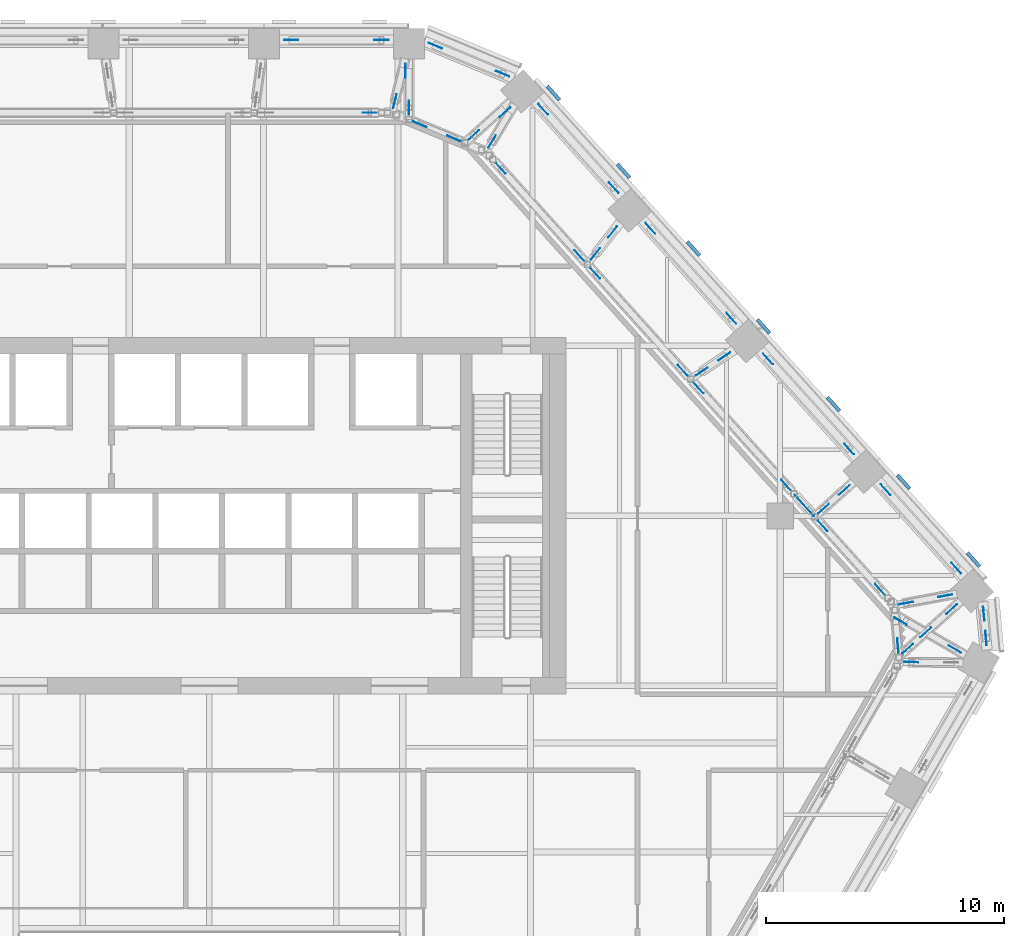
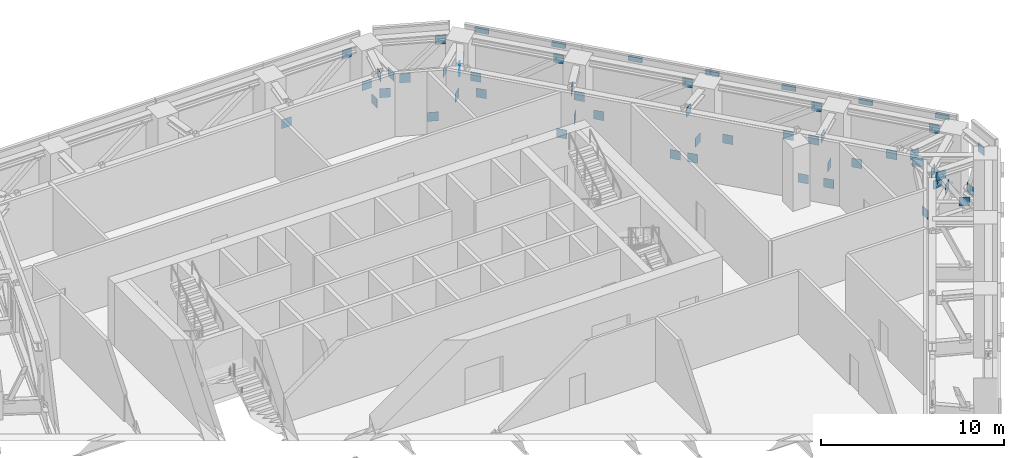
# One storey, part 24 of 26: 55 discrete accessories.
"""IFC4 building model written with IfcOpenShell, lengths in metres."""

import ifcopenshell
import ifcopenshell.guid

model = None  # the IFC model being written
_history = None  # IfcOwnerHistory: only IFC2X3 demands one
_inside = {}  # id of a spatial element -> (the spatial element, [elements in it])
_under = {}  # id of a project, library or spatial element -> (it, [spatial elements below it])
_declared = {}  # id of a project -> (the project, [libraries it declares])
_typed = {}  # id of a type object -> (the type object, [elements of that type])
_made_of = {}  # id of a material, layer set ... -> (it, [elements and type objects made of it])


def new_model(schema):
    """Start an empty IFC model of exactly this schema.

    Asked for "IFC4X3", IfcOpenShell would pick the latest addendum, in which some entities
    have other attributes; the version numbers below select the first issue.
    IFC2X3 requires an IfcOwnerHistory on every rooted entity: one is made here for all.
    """
    global model, _history
    if schema == "IFC4X3":
        model = ifcopenshell.file(schema_version=(4, 3, 0, 0))
    else:
        model = ifcopenshell.file(schema=schema)
    _inside.clear()
    _under.clear()
    _declared.clear()
    _typed.clear()
    _made_of.clear()
    _history = None
    if model.schema == "IFC2X3":
        org = make("IfcOrganization", Name="unknown")
        user = make(
            "IfcPersonAndOrganization",
            ThePerson=make("IfcPerson", FamilyName="unknown"),
            TheOrganization=org,
        )
        app = make(
            "IfcApplication",
            ApplicationDeveloper=org,
            Version="unknown",
            ApplicationFullName="unknown",
            ApplicationIdentifier="unknown",
        )
        _history = make(
            "IfcOwnerHistory",
            OwningUser=user,
            OwningApplication=app,
            ChangeAction="ADDED",
            CreationDate=0,
        )
    return model


def make(cls, **values):
    """One entity of the class cls with the attributes given. An attribute that is None is left unset."""
    return model.create_entity(
        cls, **{name: value for name, value in values.items() if value is not None}
    )


def rooted(cls, **values):
    """An entity with a GlobalId (a new one), such as an element, a storey or a relation."""
    return make(cls, GlobalId=ifcopenshell.guid.new(), OwnerHistory=_history, **values)


def si_unit(unit_type, name, prefix=None):
    """IfcSIUnit, for example si_unit("LENGTHUNIT", "METRE", prefix="MILLI")."""
    return make("IfcSIUnit", UnitType=unit_type, Prefix=prefix, Name=name)


def assignment(units):
    """IfcUnitAssignment: the units of a project."""
    return None if units is None else make("IfcUnitAssignment", Units=units)


def point(xyz):
    """IfcCartesianPoint."""
    return None if xyz is None else make("IfcCartesianPoint", Coordinates=xyz)


def direction(xyz):
    """IfcDirection."""
    return None if xyz is None else make("IfcDirection", DirectionRatios=xyz)


def frame(location, z_axis=None, x_axis=None):
    """IfcAxis2Placement3D, a coordinate frame: its origin and axes. An axis left out is left unset."""
    return make(
        "IfcAxis2Placement3D",
        Location=point(location),
        Axis=direction(z_axis),
        RefDirection=direction(x_axis),
    )


def frame_2d(location, x_axis=None):
    """IfcAxis2Placement2D, a coordinate frame in the plane: its origin and x axis."""
    return make(
        "IfcAxis2Placement2D", Location=point(location), RefDirection=direction(x_axis)
    )


def origin():
    """The frame at (0, 0, 0) with its axes left unset."""
    return frame((0.0, 0.0, 0.0))


def origin_2d():
    """The frame at (0, 0) in the plane with its x axis left unset."""
    return frame_2d((0.0, 0.0))


def place(relative_to, where):
    """IfcLocalPlacement: puts the frame where relative to a parent placement (None: the world)."""
    return make(
        "IfcLocalPlacement", PlacementRelTo=relative_to, RelativePlacement=where
    )


def context(
    kind, dimensions, precision=None, world=None, true_north=None, identifier=None
):
    """IfcGeometricRepresentationContext, for example the 3D "Model" context."""
    return make(
        "IfcGeometricRepresentationContext",
        ContextIdentifier=identifier,
        ContextType=kind,
        CoordinateSpaceDimension=dimensions,
        Precision=precision,
        WorldCoordinateSystem=world,
        TrueNorth=true_north,
    )


def subcontext(parent, identifier, kind, view, scale=None):
    """IfcGeometricRepresentationSubContext, for example "Body" below "Model"."""
    return make(
        "IfcGeometricRepresentationSubContext",
        ContextIdentifier=identifier,
        ContextType=kind,
        ParentContext=parent,
        TargetScale=scale,
        TargetView=view,
    )


def project(units=None, contexts=None):
    """IfcProject with its units and contexts."""
    return rooted(
        "IfcProject",
        Name="project",
        RepresentationContexts=contexts,
        UnitsInContext=assignment(units),
    )


def spatial(cls, under=None, at=None, **own):
    """A site, building, storey or space (cls), placed at a placement, below another one or the project."""
    s = rooted(cls, ObjectPlacement=at, **own)
    if under is not None:
        _under.setdefault(under.id(), (under, []))[1].append(s)
    return s


def profile(cls, at=None, kind="AREA", **sizes):
    """A parametric profile (cls). Its sizes go by their IFC names, for example OverallWidth=200.0."""
    return make(cls, ProfileType=kind, Position=at, **sizes)


def rectangle(**sizes):
    """IfcRectangleProfileDef."""
    return profile("IfcRectangleProfileDef", **sizes)


def extrude(swept, where, along, depth):
    """IfcExtrudedAreaSolid: the profile swept, set in the frame where, extruded along a direction by depth."""
    return make(
        "IfcExtrudedAreaSolid",
        SweptArea=swept,
        Position=where,
        ExtrudedDirection=direction(along),
        Depth=depth,
    )


def shape(context_of_items, identifier, shape_type, items):
    """IfcShapeRepresentation: the items that make up one representation, for example the "Body"."""
    return make(
        "IfcShapeRepresentation",
        ContextOfItems=context_of_items,
        RepresentationIdentifier=identifier,
        RepresentationType=shape_type,
        Items=items,
    )


def material(Name=None, Category=None):
    """IfcMaterial."""
    return make("IfcMaterial", Name=Name, Category=Category)


def made_of(thing, what):
    """Note that an element or type object is made of a material, layer set ...; save() writes the relation."""
    if what is not None:
        _made_of.setdefault(what.id(), (what, []))[1].append(thing)
    return thing


def type_object(cls, material=None, **own):
    """A type object (cls), such as IfcWallType, which elements share."""
    return made_of(rooted(cls, **own), material)


def element(
    cls,
    number,
    at=None,
    inside=None,
    cuts=None,
    type_object=None,
    material=None,
    context=None,
    identifier="Body",
    shape_type=None,
    held_by="IfcProductDefinitionShape",
    body=None,
    shapes=None,
    **own,
):
    """One element of the class cls, such as IfcWall. Its Tag is "e" and its number.

    at: its placement. inside: the storey or other place that contains it. cuts: it is an
    opening in that element (IfcRelVoidsElement). A single representation is given by context,
    identifier, shape_type and body (its items); several are given by shapes. held_by: the class
    of the entity that holds the representations. save() writes the other relations.
    """
    e = rooted(cls, Tag="e%d" % number, ObjectPlacement=at, **own)
    if body is not None:
        shapes = [shape(context, identifier, shape_type, body)]
    if shapes is not None:
        e.Representation = make(held_by, Representations=shapes)
    if inside is not None:
        _inside.setdefault(inside.id(), (inside, []))[1].append(e)
    if cuts is not None:
        rooted(
            "IfcRelVoidsElement", RelatingBuildingElement=cuts, RelatedOpeningElement=e
        )
    if type_object is not None:
        _typed.setdefault(type_object.id(), (type_object, []))[1].append(e)
    return made_of(e, material)


def aggregate(whole, parts):
    """IfcRelAggregates: a whole, such as a stair, and the parts it consists of."""
    return rooted("IfcRelAggregates", RelatingObject=whole, RelatedObjects=parts)


def save(model, path):
    """Write the relations noted so far, then the file.

    IfcRelAggregates (storeys below a building ...), IfcRelContainedInSpatialStructure (elements
    in a storey), IfcRelDefinesByType, IfcRelAssociatesMaterial and IfcRelDeclares: one each for
    every whole, place, type object, material and project.
    """
    for whole, parts in _under.values():
        aggregate(whole, parts)
    for where, things in _inside.values():
        rooted(
            "IfcRelContainedInSpatialStructure",
            RelatedElements=things,
            RelatingStructure=where,
        )
    for kind, things in _typed.values():
        rooted("IfcRelDefinesByType", RelatedObjects=things, RelatingType=kind)
    for what, things in _made_of.values():
        rooted("IfcRelAssociatesMaterial", RelatedObjects=things, RelatingMaterial=what)
    for by, libraries in _declared.values():
        rooted("IfcRelDeclares", RelatingContext=by, RelatedDefinitions=libraries)
    model.write(path)


model = new_model("IFC4")

# Units and contexts
model_context = context("Model", 3, precision=1e-05, world=origin(), true_north=direction((0.0, 1.0)))
body_context = subcontext(model_context, "Body", "Model", "MODEL_VIEW")
ifc_project = project(units=[si_unit("LENGTHUNIT", "METRE"), si_unit("AREAUNIT", "SQUARE_METRE"), si_unit("VOLUMEUNIT", "CUBIC_METRE"), si_unit("PLANEANGLEUNIT", "RADIAN"), si_unit("MASSUNIT", "GRAM", prefix="KILO")], contexts=[model_context])

# Site, building, storey
site_placement = place(None, origin())
site = spatial("IfcSite", under=ifc_project, at=site_placement, CompositionType="ELEMENT")
building_placement = place(site_placement, origin())
building = spatial("IfcBuilding", under=site, at=building_placement, Name="Isthmus Gate Tower", CompositionType="ELEMENT")
storey_placement = place(building_placement, frame((0.0, 0.0, 207.300048828125)))
storey = spatial("IfcBuildingStorey", under=building, at=storey_placement, Name="L52", CompositionType="ELEMENT", Elevation=207.300048828125)

# Discrete accessories
ifc_material_1 = material(Name="Structural steel ASTM A572 Gr 50, white paint system", Category="steel")
discrete_accessory_type_1 = type_object("IfcDiscreteAccessoryType", Name="FIN BRACKET 784 X 150 X 300", PredefinedType="BRACKET", material=ifc_material_1)
for number, where, z_axis, x_axis, name in (
    (1, (32.129638671875, 5.658447265625, 3.94970703125), (0.0, 0.0, 1.0), (0.743144825477, 0.669130606359, 0.0), "FIN BRACKET"),
    (2, (29.185302734375, 8.92822265625, 3.94970703125), (0.0, 0.0, 1.0), (0.743144825477, 0.669130606359, 0.0), "FIN BRACKET"),
    (3, (26.2412109375, 12.1982421875, 3.94970703125), (0.0, 0.0, 1.0), (0.743144825477, 0.669130606359, 0.0), "FIN BRACKET"),
    (4, (23.296875, 15.468017578125, 3.94970703125), (0.0, 0.0, 1.0), (0.743144825477, 0.669130606359, 0.0), "FIN BRACKET"),
    (5, (20.352783203125, 18.73779296875, 3.94970703125), (0.0, 0.0, 1.0), (0.743144825477, 0.669130606359, 0.0), "FIN BRACKET"),
    (6, (17.40869140625, 22.007568359375, 3.94970703125), (0.0, 0.0, 1.0), (0.743144825477, 0.669130606359, 0.0), "FIN BRACKET"),
    (7, (14.46435546875, 25.277587890625, 3.94970703125), (0.0, 0.0, 1.0), (0.743144825477, 0.669130606359, 0.0), "FIN BRACKET"),
):
    element("IfcDiscreteAccessory", number, at=place(storey_placement, frame(where, z_axis=z_axis, x_axis=x_axis)), inside=storey, type_object=discrete_accessory_type_1, Name=name, PredefinedType="BRACKET", context=body_context, shape_type="SweptSolid", body=[
        extrude(rectangle(XDim=0.14990234375, YDim=0.78369140625, at=origin_2d()), origin(), (0.0, 0.0, 1.0), 0.300048828125),
    ])
ifc_material_2 = material(Name="Structural steel ASTM A992 Gr 50", Category="steel")
discrete_accessory_type_2 = type_object("IfcDiscreteAccessoryType", Name="GUSSET PLATE 600 X 20", PredefinedType="USERDEFINED", material=ifc_material_2)
for number, where, z_axis, x_axis, name in (
    (8, (9.500244140625, 27.2666015625, 0.163330078125), (0.0, 0.0, 1.0), (0.923353128387, -0.383951820282, 0.0), "GUSSET PLATE"),
    (9, (12.32861328125, 26.09033203125, 3.4365234375), (0.0, 0.0, 1.0), (0.923353128387, -0.383951820282, 0.0), "GUSSET PLATE"),
    (10, (14.03466796875, 24.5966796875, 0.163330078125), (0.0, 0.0, 1.0), (0.669130606359, -0.743144825477, 0.0), "GUSSET PLATE"),
    (11, (17.006103515625, 21.29638671875, 3.4365234375), (0.0, 0.0, 1.0), (0.669130606359, -0.743144825477, 0.0), "GUSSET PLATE"),
    (12, (18.545166015625, 19.587158203125, 0.163330078125), (0.0, 0.0, 1.0), (0.669130606359, -0.743144825477, 0.0), "GUSSET PLATE"),
    (13, (21.95166015625, 15.803955078125, 3.4365234375), (0.0, 0.0, 1.0), (0.669130606359, -0.743144825477, 0.0), "GUSSET PLATE"),
    (14, (23.490478515625, 14.0947265625, 0.163330078125), (0.0, 0.0, 1.0), (0.669130606359, -0.743144825477, 0.0), "GUSSET PLATE"),
    (15, (26.89697265625, 10.3115234375, 3.4365234375), (0.0, 0.0, 1.0), (0.669130606359, -0.743144825477, 0.0), "GUSSET PLATE"),
    (16, (28.43603515625, 8.602294921875, 0.163330078125), (0.0, 0.0, 1.0), (0.669130606359, -0.743144825477, 0.0), "GUSSET PLATE"),
    (17, (31.407470703125, 5.30224609375, 3.4365234375), (0.0, 0.0, 1.0), (0.669130606359, -0.743144825477, 0.0), "GUSSET PLATE"),
    (18, (32.563720703125, 3.3828125, 0.163330078125), (0.0, 0.0, 1.0), (0.089396669717, -0.995996102123, 0.0), "GUSSET PLATE"),
    (19, (32.655517578125, 2.359130859375, 3.4365234375), (0.0, 0.0, 1.0), (0.089396669717, -0.995996102123, 0.0), "GUSSET PLATE"),
    (20, (3.4384765625, 27.5, 0.163330078125), (0.0, 0.0, 1.0), (1.0, 0.0, 0.0), "GUSSET PLATE"),
    (21, (7.238525390625, 27.5, 3.4365234375), (0.0, 0.0, 1.0), (1.0, 0.0, 0.0), "GUSSET PLATE"),
    (22, (8.25244140625, 26.21630859375, 0.680908203125), (0.0, 0.0, 1.0), (0.0, -1.0, 0.0), "GUSSET PLATE"),
    (23, (8.388671875, 24.656005859375, 3.384033203125), (0.0, 0.0, 1.0), (0.0, -1.0, 0.0), "GUSSET PLATE"),
    (24, (31.345947265625, 1.892578125, 0.680908203125), (0.0, 0.0, 1.0), (-0.866025403784, 0.5, 0.0), "GUSSET PLATE"),
    (25, (29.064208984375, 3.0673828125, 3.384033203125), (0.0, 0.0, 1.0), (-0.866025403784, 0.5, 0.0), "GUSSET PLATE"),
    (26, (31.2109375, 3.57763671875, 0.680908203125), (0.0, 0.0, 1.0), (-0.743144825384, -0.669130606463, 0.0), "GUSSET PLATE"),
    (27, (30.123779296875, 2.598876953125, 2.272216796875), (0.0, 0.0, 1.0), (-0.743144825384, -0.669130606463, 0.0), "GUSSET PLATE"),
    (28, (29.364013671875, 1.914794921875, 3.384033203125), (0.0, 0.0, 1.0), (-0.743144825384, -0.669130606463, 0.0), "GUSSET PLATE"),
    (29, (26.700439453125, 8.587158203125, 0.680908203125), (0.0, 0.0, 1.0), (-0.743144825477, -0.669130606359, 0.0), "GUSSET PLATE"),
    (30, (25.820068359375, 7.79443359375, 3.384033203125), (0.0, 0.0, 1.0), (-0.743144825477, -0.669130606359, 0.0), "GUSSET PLATE"),
    (31, (21.655029296875, 14.20751953125, 0.680908203125), (0.0, 0.0, 1.0), (-0.829955624143, -0.557829420122, 0.0), "GUSSET PLATE"),
    (32, (20.694580078125, 13.561767578125, 3.384033203125), (0.0, 0.0, 1.0), (-0.829955624143, -0.557829420122, 0.0), "GUSSET PLATE"),
    (33, (16.954833984375, 19.436279296875, 0.680908203125), (0.0, 0.0, 1.0), (-0.616735721709, -0.787170279907, 0.0), "GUSSET PLATE"),
    (34, (16.23388671875, 18.515869140625, 3.384033203125), (0.0, 0.0, 1.0), (-0.616735721709, -0.787170279907, 0.0), "GUSSET PLATE"),
    (35, (12.4306640625, 24.472900390625, 0.680908203125), (0.0, 0.0, 1.0), (-0.743144825477, -0.669130606359, 0.0), "GUSSET PLATE"),
    (36, (11.112060546875, 23.512451171875, 3.384033203125), (0.0, 0.0, 1.0), (-0.743144825477, -0.669130606359, 0.0), "GUSSET PLATE"),
    (37, (7.7998046875, 24.935791015625, 3.384033203125), (0.0, 0.0, 1.0), (-0.236939586993, -0.971524385754, 0.0), "GUSSET PLATE"),
    (38, (11.8857421875, 23.2373046875, 3.384033203125), (0.0, 0.0, 1.0), (-0.514431508125, -0.857531470821, 0.0), "GUSSET PLATE"),
    (39, (30.934814453125, 4.136962890625, 0.680908203125), (0.0, 0.0, 1.0), (-0.983129327497, -0.182911796818, 0.0), "GUSSET PLATE"),
    (40, (29.290283203125, 3.830810546875, 3.384033203125), (0.0, 0.0, 1.0), (-0.983129327497, -0.182911796818, 0.0), "GUSSET PLATE"),
    (41, (29.512939453125, 1.3466796875, 3.384033203125), (0.0, 0.0, 1.0), (-0.999947139277, 0.010281957563, 0.0), "GUSSET PLATE"),
    (42, (10.27880859375, 23.369873046875, 0.680908203125), (0.0, 0.0, 1.0), (-0.923353128387, 0.383951820282, 0.0), "GUSSET PLATE"),
    (43, (8.850341796875, 23.9638671875, 3.384033203125), (0.0, 0.0, 1.0), (-0.923353128387, 0.383951820282, 0.0), "GUSSET PLATE"),
    (44, (15.55517578125, 18.44775390625, 0.680908203125), (0.0, 0.0, 1.0), (-0.669130606359, 0.743144825477, 0.0), "GUSSET PLATE"),
    (45, (12.248291015625, 22.120361328125, 3.384033203125), (0.0, 0.0, 1.0), (-0.669130606359, 0.743144825477, 0.0), "GUSSET PLATE"),
    (46, (19.899169921875, 13.623291015625, 0.680908203125), (0.0, 0.0, 1.0), (-0.669130606359, 0.743144825477, 0.0), "GUSSET PLATE"),
    (47, (16.22412109375, 17.70458984375, 3.384033203125), (0.0, 0.0, 1.0), (-0.669130606359, 0.743144825477, 0.0), "GUSSET PLATE"),
    (48, (20.568115234375, 12.880126953125, 0.680908203125), (0.0, 0.0, 1.0), (0.669130606359, -0.743144825477, 0.0), "GUSSET PLATE"),
    (49, (24.2431640625, 8.798828125, 3.384033203125), (0.0, 0.0, 1.0), (0.669130606359, -0.743144825477, 0.0), "GUSSET PLATE"),
    (50, (24.8125, 8.16650390625, 0.680908203125), (0.0, 0.0, 1.0), (0.669130606359, -0.743144825477, 0.0), "GUSSET PLATE"),
    (51, (25.2138671875, 7.720458984375, 3.384033203125), (0.0, 0.0, 1.0), (0.669130606359, -0.743144825477, 0.0), "GUSSET PLATE"),
    (52, (25.783447265625, 7.088134765625, 0.680908203125), (0.0, 0.0, 1.0), (0.669130606359, -0.743144825477, 0.0), "GUSSET PLATE"),
    (53, (28.1962890625, 4.408447265625, 3.384033203125), (0.0, 0.0, 1.0), (0.669130606359, -0.743144825477, 0.0), "GUSSET PLATE"),
    (54, (28.9501953125, 2.04931640625, 0.680908203125), (0.0, 0.0, 1.0), (-0.089396669717, 0.995996102123, 0.0), "GUSSET PLATE"),
    (55, (6.74072265625, 24.449951171875, 3.384033203125), (0.0, 0.0, 1.0), (1.0, 0.0, 0.0), "GUSSET PLATE"),
):
    element("IfcDiscreteAccessory", number, at=place(storey_placement, frame(where, z_axis=z_axis, x_axis=x_axis)), inside=storey, type_object=discrete_accessory_type_2, Name=name, ObjectType="GUSSET PLATE", PredefinedType="USERDEFINED", context=body_context, shape_type="SweptSolid", body=[
        extrude(rectangle(XDim=0.60009765625, YDim=0.02001953125, at=origin_2d()), origin(), (0.0, 0.0, 1.0), 0.60009765625),
    ])

save(model, "model.ifc")
